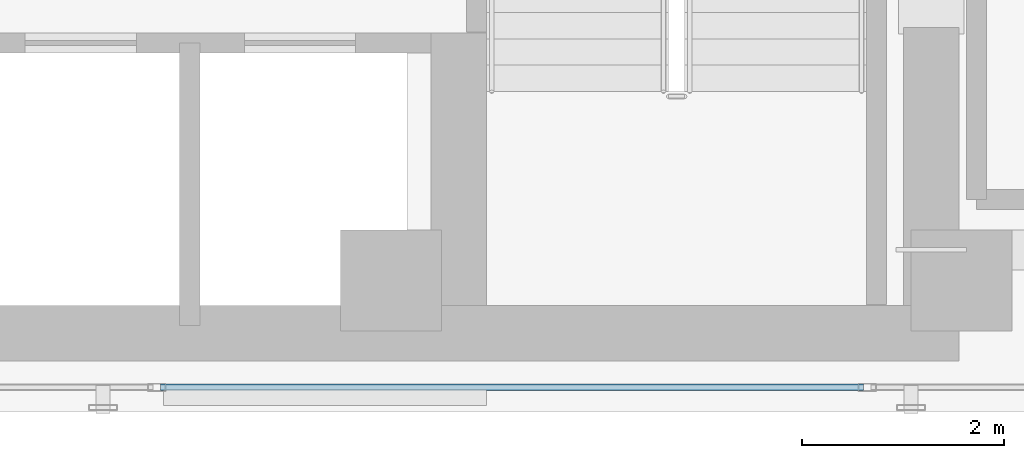
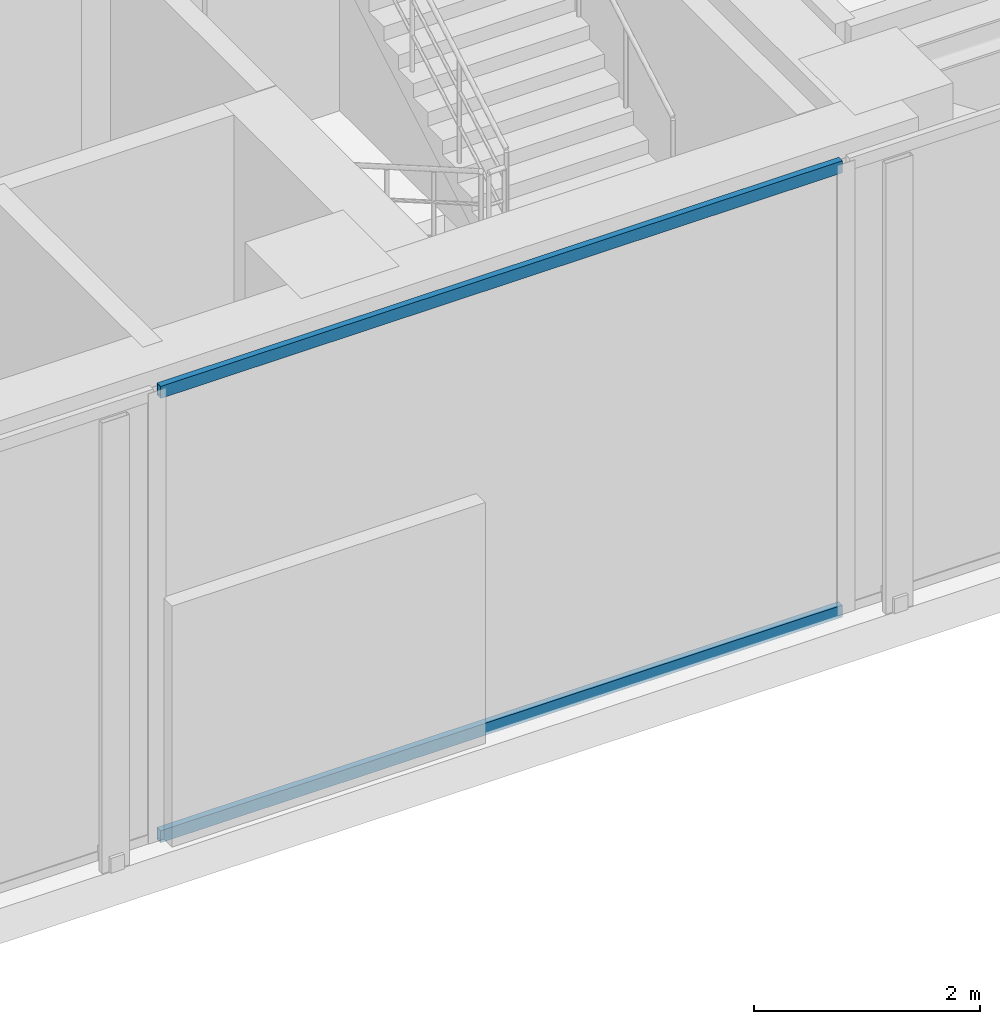
# One storey, part 3 of 31: 2 members, 1 element without a shape of its own.
"""IFC4 building model written with IfcOpenShell, lengths in metres."""

from ifc_helpers import new_model, si_unit, direction, frame, origin, origin_with_axes, origin_2d, place, context, subcontext, project, spatial, hollow_rectangle, extrude, source, transform, mapped, material, layer, layer_set, material_profile, profile_set, type_object, element, aggregate, save


model = new_model("IFC4")

# Units and contexts
model_context = context("Model", 3, precision=1e-05, world=origin(), true_north=direction((0.0, 1.0)))
body_context = subcontext(model_context, "Body", "Model", "MODEL_VIEW")
ifc_project = project(units=[si_unit("LENGTHUNIT", "METRE"), si_unit("AREAUNIT", "SQUARE_METRE"), si_unit("VOLUMEUNIT", "CUBIC_METRE"), si_unit("PLANEANGLEUNIT", "RADIAN"), si_unit("MASSUNIT", "GRAM", prefix="KILO")], contexts=[model_context])

# Site, building, storey
site_placement = place(None, origin())
site = spatial("IfcSite", under=ifc_project, at=site_placement, CompositionType="ELEMENT")
building_placement = place(site_placement, origin())
building = spatial("IfcBuilding", under=site, at=building_placement, Name="Kolvaren Waterfront Exchange", CompositionType="ELEMENT")
storey_placement = place(building_placement, frame((0.0, 0.0, 257.699951171875)))
storey = spatial("IfcBuildingStorey", under=building, at=storey_placement, Name="L66", CompositionType="ELEMENT", Elevation=257.699951171875)

# Curtain wall, members
ifc_material_1 = material(Name="Anodised dark bronze spandrel aluminium", Category="aluminium")
ifc_layer = layer(ifc_material_1, 0.219970703125, Name="Anodised dark bronze spandrel aluminium")
ifc_layer_set = layer_set([ifc_layer], Name="Anodised dark bronze spandrel aluminium")
curtain_wall_type = type_object("IfcCurtainWallType", Name="ARC-CW-SYS6", PredefinedType="USERDEFINED", material=ifc_layer_set)
curtain_wall_placement = place(storey_placement, origin())
curtain_wall = element("IfcCurtainWall", 1, at=curtain_wall_placement, inside=storey, type_object=curtain_wall_type, Name="L66 stick curtain wall CW6 (CW-L66-S)", ObjectType="STICK CURTAIN WALL", PredefinedType="USERDEFINED")
ifc_material_2 = material(Name="Anodised bronze aluminium 6063-T6", Category="aluminium")
ifc_material_profile = material_profile(ifc_material_2, hollow_rectangle(XDim=0.06494140625, YDim=0.1298828125, WallThickness=0.00390625, at=origin_2d()), Name="ALU-TRN-130x65x4")
ifc_profile_set = profile_set([ifc_material_profile], Name="Anodised bronze aluminium 6063-T6")
member_type = type_object("IfcMemberType", Name="ARC-CWT-130", PredefinedType="USERDEFINED", material=ifc_profile_set)
shared_shape = source(origin_with_axes(), body_context, "Body", "SweptSolid", [
    extrude(hollow_rectangle(XDim=0.06494140625, YDim=0.1298828125, WallThickness=0.00390625, at=origin_2d()), origin(), (0.0, 0.0, 1.0), 6.958251953125),
])
member_1_placement = place(storey_placement, frame((13.1708984375, 3.840087890625, 0.032470703125), z_axis=(1.0, 0.0, 0.0), x_axis=(0.0, 1.0, 0.0)))
member_1 = element("IfcMember", 2, at=member_1_placement, type_object=member_type, Name="CW6 transom 2.1", ObjectType="TRANSOM", PredefinedType="USERDEFINED", context=body_context, shape_type="MappedRepresentation", body=[
    mapped(shared_shape, transform((0.0, 0.0, 0.0), x_axis=(1.0, 0.0, 0.0), y_axis=(0.0, 1.0, 0.0), z_axis=(0.0, 0.0, 1.0), scale=1.0)),
])
member_2_placement = place(storey_placement, frame((13.1708984375, 3.840087890625, 4.82763671875), z_axis=(1.0, 0.0, 0.0), x_axis=(0.0, 1.0, 0.0)))
member_2 = element("IfcMember", 3, at=member_2_placement, type_object=member_type, Name="CW6 transom 2.2", ObjectType="TRANSOM", PredefinedType="USERDEFINED", context=body_context, shape_type="MappedRepresentation", body=[
    mapped(shared_shape, transform((0.0, 0.0, 0.0), x_axis=(1.0, 0.0, 0.0), y_axis=(0.0, 1.0, 0.0), z_axis=(0.0, 0.0, 1.0), scale=1.0)),
])
aggregate(curtain_wall, [member_1, member_2])

save(model, "model.ifc")
